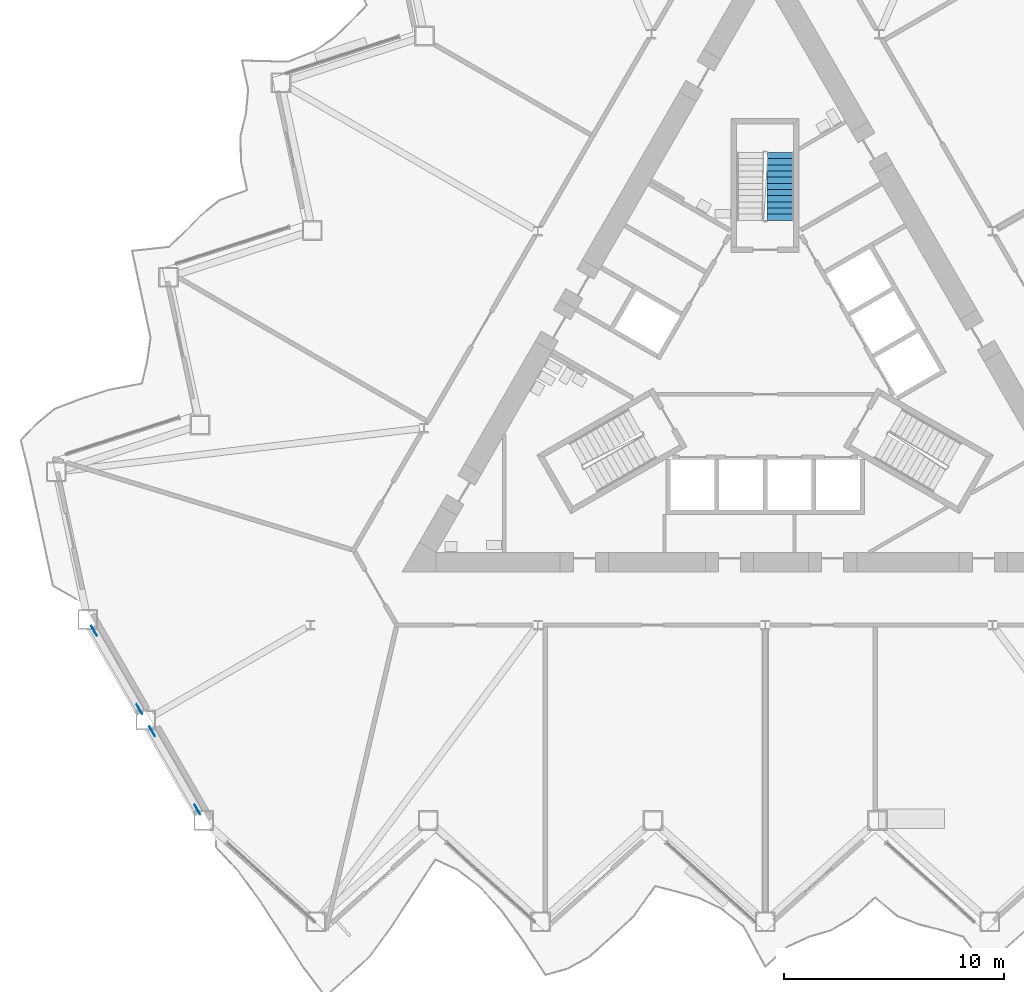
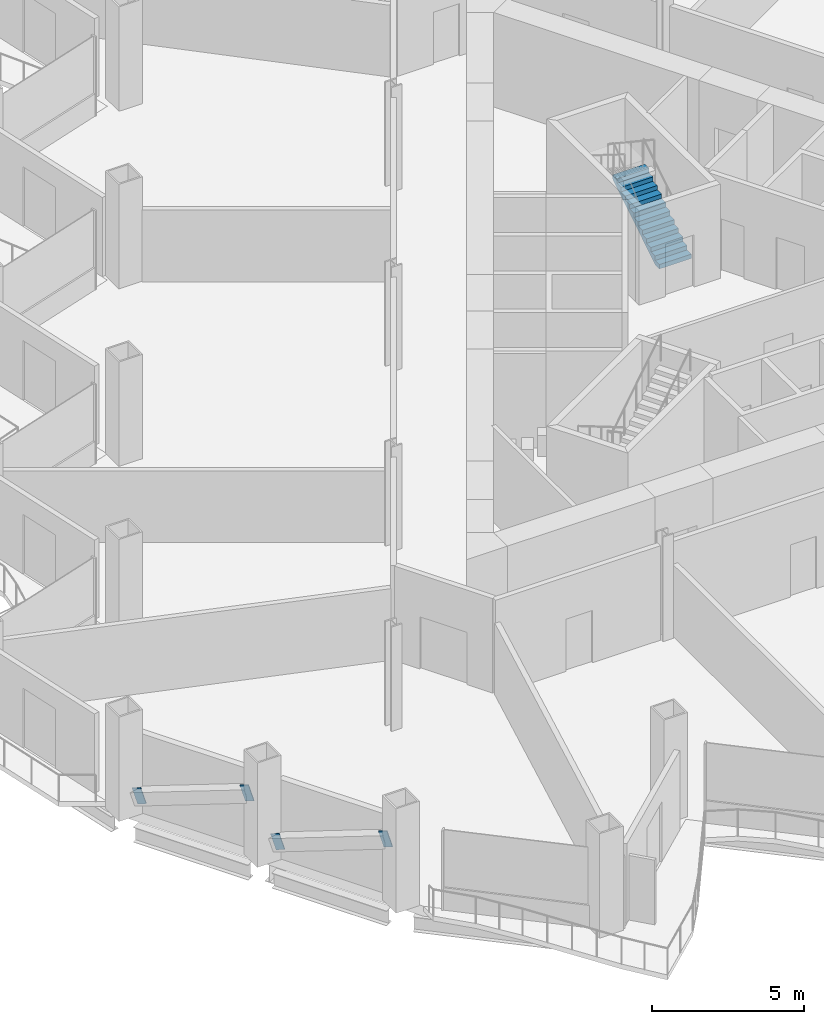
# One storey, part 14 of 21: 4 discrete accessories, 1 stair flight, 1 element without a shape of its own.
"""IFC4 building model written with IfcOpenShell, lengths in metres."""

import ifcopenshell
import ifcopenshell.guid

model = None  # the IFC model being written
_history = None  # IfcOwnerHistory: only IFC2X3 demands one
_inside = {}  # id of a spatial element -> (the spatial element, [elements in it])
_under = {}  # id of a project, library or spatial element -> (it, [spatial elements below it])
_declared = {}  # id of a project -> (the project, [libraries it declares])
_typed = {}  # id of a type object -> (the type object, [elements of that type])
_made_of = {}  # id of a material, layer set ... -> (it, [elements and type objects made of it])


def new_model(schema):
    """Start an empty IFC model of exactly this schema.

    Asked for "IFC4X3", IfcOpenShell would pick the latest addendum, in which some entities
    have other attributes; the version numbers below select the first issue.
    IFC2X3 requires an IfcOwnerHistory on every rooted entity: one is made here for all.
    """
    global model, _history
    if schema == "IFC4X3":
        model = ifcopenshell.file(schema_version=(4, 3, 0, 0))
    else:
        model = ifcopenshell.file(schema=schema)
    _inside.clear()
    _under.clear()
    _declared.clear()
    _typed.clear()
    _made_of.clear()
    _history = None
    if model.schema == "IFC2X3":
        org = make("IfcOrganization", Name="unknown")
        user = make(
            "IfcPersonAndOrganization",
            ThePerson=make("IfcPerson", FamilyName="unknown"),
            TheOrganization=org,
        )
        app = make(
            "IfcApplication",
            ApplicationDeveloper=org,
            Version="unknown",
            ApplicationFullName="unknown",
            ApplicationIdentifier="unknown",
        )
        _history = make(
            "IfcOwnerHistory",
            OwningUser=user,
            OwningApplication=app,
            ChangeAction="ADDED",
            CreationDate=0,
        )
    return model


def make(cls, **values):
    """One entity of the class cls with the attributes given. An attribute that is None is left unset."""
    return model.create_entity(
        cls, **{name: value for name, value in values.items() if value is not None}
    )


def rooted(cls, **values):
    """An entity with a GlobalId (a new one), such as an element, a storey or a relation."""
    return make(cls, GlobalId=ifcopenshell.guid.new(), OwnerHistory=_history, **values)


def si_unit(unit_type, name, prefix=None):
    """IfcSIUnit, for example si_unit("LENGTHUNIT", "METRE", prefix="MILLI")."""
    return make("IfcSIUnit", UnitType=unit_type, Prefix=prefix, Name=name)


def assignment(units):
    """IfcUnitAssignment: the units of a project."""
    return None if units is None else make("IfcUnitAssignment", Units=units)


def point(xyz):
    """IfcCartesianPoint."""
    return None if xyz is None else make("IfcCartesianPoint", Coordinates=xyz)


def direction(xyz):
    """IfcDirection."""
    return None if xyz is None else make("IfcDirection", DirectionRatios=xyz)


def frame(location, z_axis=None, x_axis=None):
    """IfcAxis2Placement3D, a coordinate frame: its origin and axes. An axis left out is left unset."""
    return make(
        "IfcAxis2Placement3D",
        Location=point(location),
        Axis=direction(z_axis),
        RefDirection=direction(x_axis),
    )


def frame_2d(location, x_axis=None):
    """IfcAxis2Placement2D, a coordinate frame in the plane: its origin and x axis."""
    return make(
        "IfcAxis2Placement2D", Location=point(location), RefDirection=direction(x_axis)
    )


def origin():
    """The frame at (0, 0, 0) with its axes left unset."""
    return frame((0.0, 0.0, 0.0))


def origin_2d():
    """The frame at (0, 0) in the plane with its x axis left unset."""
    return frame_2d((0.0, 0.0))


def place(relative_to, where):
    """IfcLocalPlacement: puts the frame where relative to a parent placement (None: the world)."""
    return make(
        "IfcLocalPlacement", PlacementRelTo=relative_to, RelativePlacement=where
    )


def context(
    kind, dimensions, precision=None, world=None, true_north=None, identifier=None
):
    """IfcGeometricRepresentationContext, for example the 3D "Model" context."""
    return make(
        "IfcGeometricRepresentationContext",
        ContextIdentifier=identifier,
        ContextType=kind,
        CoordinateSpaceDimension=dimensions,
        Precision=precision,
        WorldCoordinateSystem=world,
        TrueNorth=true_north,
    )


def subcontext(parent, identifier, kind, view, scale=None):
    """IfcGeometricRepresentationSubContext, for example "Body" below "Model"."""
    return make(
        "IfcGeometricRepresentationSubContext",
        ContextIdentifier=identifier,
        ContextType=kind,
        ParentContext=parent,
        TargetScale=scale,
        TargetView=view,
    )


def project(units=None, contexts=None):
    """IfcProject with its units and contexts."""
    return rooted(
        "IfcProject",
        Name="project",
        RepresentationContexts=contexts,
        UnitsInContext=assignment(units),
    )


def spatial(cls, under=None, at=None, **own):
    """A site, building, storey or space (cls), placed at a placement, below another one or the project."""
    s = rooted(cls, ObjectPlacement=at, **own)
    if under is not None:
        _under.setdefault(under.id(), (under, []))[1].append(s)
    return s


def polyline(points):
    """IfcPolyline through the points."""
    return make("IfcPolyline", Points=[point(p) for p in points])


def profile(cls, at=None, kind="AREA", **sizes):
    """A parametric profile (cls). Its sizes go by their IFC names, for example OverallWidth=200.0."""
    return make(cls, ProfileType=kind, Position=at, **sizes)


def rectangle(**sizes):
    """IfcRectangleProfileDef."""
    return profile("IfcRectangleProfileDef", **sizes)


def outline(outer, holes=None, kind="AREA"):
    """IfcArbitraryClosedProfileDef: a profile drawn as a closed curve; with holes, ...WithVoids."""
    if holes is None:
        return make("IfcArbitraryClosedProfileDef", ProfileType=kind, OuterCurve=outer)
    return make(
        "IfcArbitraryProfileDefWithVoids",
        ProfileType=kind,
        OuterCurve=outer,
        InnerCurves=holes,
    )


def extrude(swept, where, along, depth):
    """IfcExtrudedAreaSolid: the profile swept, set in the frame where, extruded along a direction by depth."""
    return make(
        "IfcExtrudedAreaSolid",
        SweptArea=swept,
        Position=where,
        ExtrudedDirection=direction(along),
        Depth=depth,
    )


def shape(context_of_items, identifier, shape_type, items):
    """IfcShapeRepresentation: the items that make up one representation, for example the "Body"."""
    return make(
        "IfcShapeRepresentation",
        ContextOfItems=context_of_items,
        RepresentationIdentifier=identifier,
        RepresentationType=shape_type,
        Items=items,
    )


def material(Name=None, Category=None):
    """IfcMaterial."""
    return make("IfcMaterial", Name=Name, Category=Category)


def material_profile(
    of_material, cross_section, Name=None, Category=None, Priority=None
):
    """IfcMaterialProfile: a cross section and its material."""
    return make(
        "IfcMaterialProfile",
        Name=Name,
        Material=of_material,
        Profile=cross_section,
        Priority=Priority,
        Category=Category,
    )


def profile_set(profiles, Name=None, composite=None):
    """IfcMaterialProfileSet."""
    return make(
        "IfcMaterialProfileSet",
        Name=Name,
        MaterialProfiles=profiles,
        CompositeProfile=composite,
    )


def made_of(thing, what):
    """Note that an element or type object is made of a material, layer set ...; save() writes the relation."""
    if what is not None:
        _made_of.setdefault(what.id(), (what, []))[1].append(thing)
    return thing


def type_object(cls, material=None, **own):
    """A type object (cls), such as IfcWallType, which elements share."""
    return made_of(rooted(cls, **own), material)


def element(
    cls,
    number,
    at=None,
    inside=None,
    cuts=None,
    type_object=None,
    material=None,
    context=None,
    identifier="Body",
    shape_type=None,
    held_by="IfcProductDefinitionShape",
    body=None,
    shapes=None,
    **own,
):
    """One element of the class cls, such as IfcWall. Its Tag is "e" and its number.

    at: its placement. inside: the storey or other place that contains it. cuts: it is an
    opening in that element (IfcRelVoidsElement). A single representation is given by context,
    identifier, shape_type and body (its items); several are given by shapes. held_by: the class
    of the entity that holds the representations. save() writes the other relations.
    """
    e = rooted(cls, Tag="e%d" % number, ObjectPlacement=at, **own)
    if body is not None:
        shapes = [shape(context, identifier, shape_type, body)]
    if shapes is not None:
        e.Representation = make(held_by, Representations=shapes)
    if inside is not None:
        _inside.setdefault(inside.id(), (inside, []))[1].append(e)
    if cuts is not None:
        rooted(
            "IfcRelVoidsElement", RelatingBuildingElement=cuts, RelatedOpeningElement=e
        )
    if type_object is not None:
        _typed.setdefault(type_object.id(), (type_object, []))[1].append(e)
    return made_of(e, material)


def aggregate(whole, parts):
    """IfcRelAggregates: a whole, such as a stair, and the parts it consists of."""
    return rooted("IfcRelAggregates", RelatingObject=whole, RelatedObjects=parts)


def save(model, path):
    """Write the relations noted so far, then the file.

    IfcRelAggregates (storeys below a building ...), IfcRelContainedInSpatialStructure (elements
    in a storey), IfcRelDefinesByType, IfcRelAssociatesMaterial and IfcRelDeclares: one each for
    every whole, place, type object, material and project.
    """
    for whole, parts in _under.values():
        aggregate(whole, parts)
    for where, things in _inside.values():
        rooted(
            "IfcRelContainedInSpatialStructure",
            RelatedElements=things,
            RelatingStructure=where,
        )
    for kind, things in _typed.values():
        rooted("IfcRelDefinesByType", RelatedObjects=things, RelatingType=kind)
    for what, things in _made_of.values():
        rooted("IfcRelAssociatesMaterial", RelatedObjects=things, RelatingMaterial=what)
    for by, libraries in _declared.values():
        rooted("IfcRelDeclares", RelatingContext=by, RelatedDefinitions=libraries)
    model.write(path)


model = new_model("IFC4")

# Units and contexts
model_context = context("Model", 3, precision=1e-05, world=origin(), true_north=direction((0.0, 1.0)))
body_context = subcontext(model_context, "Body", "Model", "MODEL_VIEW")
ifc_project = project(units=[si_unit("LENGTHUNIT", "METRE"), si_unit("AREAUNIT", "SQUARE_METRE"), si_unit("VOLUMEUNIT", "CUBIC_METRE"), si_unit("PLANEANGLEUNIT", "RADIAN"), si_unit("MASSUNIT", "GRAM", prefix="KILO")], contexts=[model_context])

# Site, building, storey
site_placement = place(None, origin())
site = spatial("IfcSite", under=ifc_project, at=site_placement, CompositionType="ELEMENT")
building_placement = place(site_placement, origin())
building = spatial("IfcBuilding", under=site, at=building_placement, Name="Cormorant Prow Tower", CompositionType="ELEMENT")
storey_placement = place(building_placement, frame((0.0, 0.0, 108.0)))
storey = spatial("IfcBuildingStorey", under=building, at=storey_placement, Name="L22", CompositionType="ELEMENT", Elevation=108.0)

# Stair, stair flight
ifc_material_1 = material(Name="Exit stair 24 risers")
stair_type = type_object("IfcStairType", Name="Exit stair 24 risers", PredefinedType="HALF_TURN_STAIR", material=ifc_material_1)
stair_placement = place(storey_placement, origin())
stair = element("IfcStair", 1, at=stair_placement, inside=storey, type_object=stair_type, Name="L22 Exit stair ST3", PredefinedType="HALF_TURN_STAIR")
ifc_material_2 = material(Name="Concrete 5000 psi", Category="concrete")
stair_flight_type = type_object("IfcStairFlightType", Name="Stair flight 1219", PredefinedType="STRAIGHT", material=ifc_material_2)
stair_flight_placement = place(storey_placement, frame((0.6845703125, 6.455810546875, 0.0), z_axis=(0.0, 0.0, 1.0), x_axis=(0.0, 1.0, 0.0)))
stair_flight = element("IfcStairFlight", 2, at=stair_flight_placement, type_object=stair_flight_type, Name="ST3 flight 1", NumberOfRisers=12, NumberOfTreads=11, PredefinedType="STRAIGHT", RiserHeight=0.175, TreadLength=0.28, context=body_context, shape_type="SweptSolid", body=[
    extrude(outline(polyline([(0.0, 0.0), (0.0, 0.175048828125), (0.280029296875, 0.175048828125), (0.280029296875, 0.35009765625), (0.56005859375, 0.35009765625), (0.56005859375, 0.52490234375), (0.840087890625, 0.52490234375), (0.840087890625, 0.699951171875), (1.1201171875, 0.699951171875), (1.1201171875, 0.875), (1.39990234375, 0.875), (1.39990234375, 1.050048828125), (1.679931640625, 1.050048828125), (1.679931640625, 1.22509765625), (1.9599609375, 1.22509765625), (1.9599609375, 1.39990234375), (2.239990234375, 1.39990234375), (2.239990234375, 1.574951171875), (2.52001953125, 1.574951171875), (2.52001953125, 1.75), (2.800048828125, 1.75), (2.800048828125, 1.925048828125), (3.080078125, 1.925048828125), (3.080078125, 2.10009765625), (3.080078125, 1.748291015625), (0.28271484375, 0.0), (0.0, 0.0)])), frame((0.0, 0.609375, 0.0), z_axis=(0.0, -1.0, 0.0), x_axis=(1.0, 0.0, 0.0)), (0.0, 0.0, 1.0), 1.218994140625),
])
aggregate(stair, [stair_flight])

# Discrete accessories
ifc_material_3 = material(Name="Structural steel ASTM A500 Gr C", Category="steel")
ifc_material_profile = material_profile(ifc_material_3, rectangle(XDim=0.031982421875, YDim=0.60791015625, at=origin_2d()), Name="Gusset plate 32x608")
ifc_profile_set = profile_set([ifc_material_profile], Name="Structural steel ASTM A500 Gr C")
discrete_accessory_type = type_object("IfcDiscreteAccessoryType", Name="Gusset plate 32x608", PredefinedType="BRACKET", material=ifc_profile_set)
for number, where, z_axis, x_axis, name in (
    (3, (-30.39501953125, -12.328125, 0.882568359375), (-0.467787927946, 0.810088781331, -0.353455260013), (-0.865987003449, -0.500066505434, 0.0), "Gusset plate GP1 L22.WSW00.g0"),
    (4, (-28.5087890625, -15.59521484375, 2.306396484375), (0.467903125124, -0.810288273314, 0.352844979601), (0.865987003449, 0.500066505434, 0.0), "Gusset plate GP1 L22.WSW00.g1"),
    (5, (-27.76025390625, -16.8916015625, 0.882568359375), (-0.468052223063, 0.809848928429, -0.35365495841), (-0.865800459427, -0.500389412813, 0.0), "Gusset plate GP1 L22.WSW01.g0"),
    (6, (-25.8740234375, -20.158935546875, 2.306396484375), (0.467903125124, -0.810288273314, 0.352844979601), (0.865987003449, 0.500066505434, 0.0), "Gusset plate GP1 L22.WSW01.g1"),
):
    element("IfcDiscreteAccessory", number, at=place(storey_placement, frame(where, z_axis=z_axis, x_axis=x_axis)), inside=storey, type_object=discrete_accessory_type, Name=name, PredefinedType="BRACKET", context=body_context, shape_type="SweptSolid", body=[
        extrude(rectangle(XDim=0.031982421875, YDim=0.60791015625, at=origin_2d()), origin(), (0.0, 0.0, 1.0), 0.35009765625),
    ])

save(model, "model.ifc")
